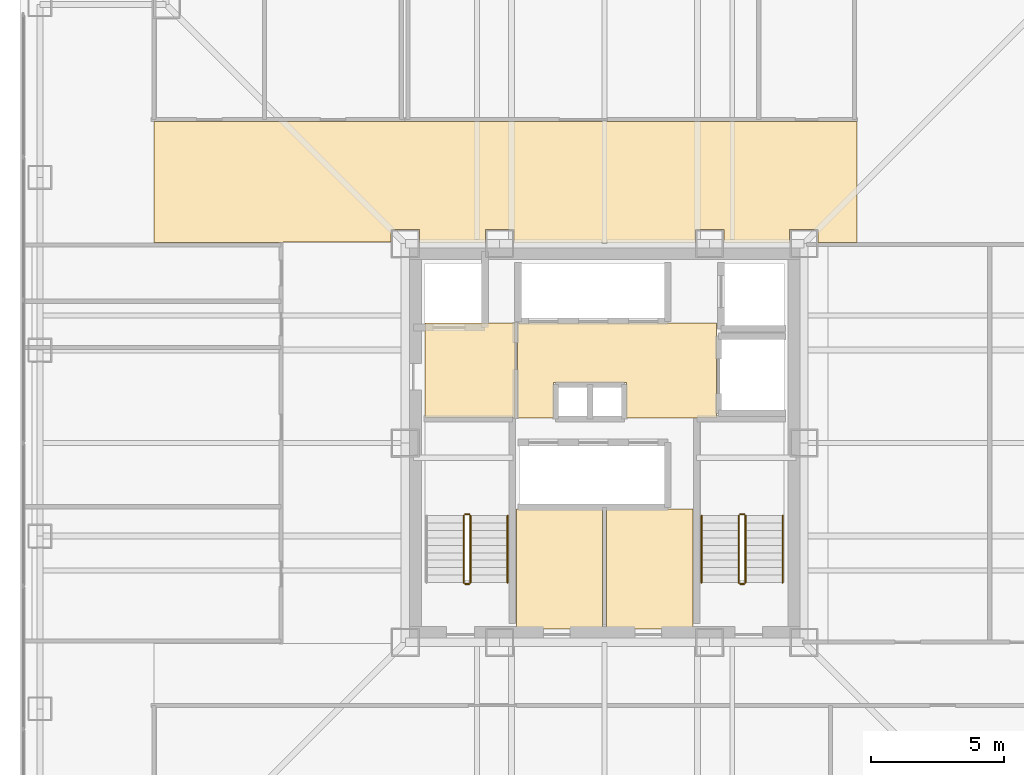
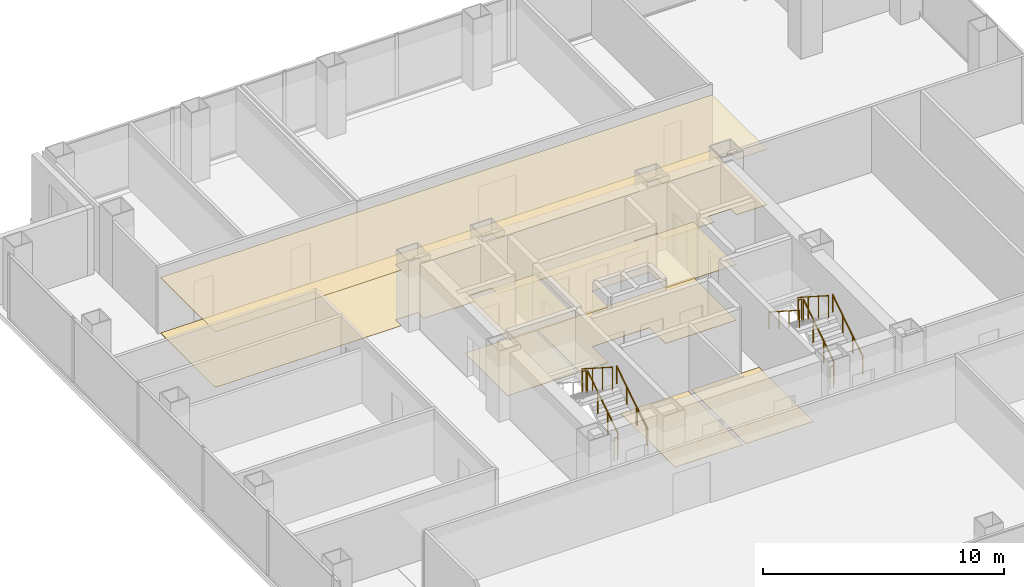
# One storey, part 13 of 14: 11 railings, 8 coverings.
"""IFC4 building model written with IfcOpenShell, lengths in metres."""

from ifc_helpers import new_model, si_unit, direction, frame, origin, origin_2d, place, context, subcontext, project, spatial, polyline, circle, outline, extrude, material, layer, layer_set, type_object, element, save


model = new_model("IFC4")

# Units and contexts
model_context = context("Model", 3, precision=1e-05, world=origin(), true_north=direction((0.0, 1.0)))
body_context = subcontext(model_context, "Body", "Model", "MODEL_VIEW")
ifc_project = project(units=[si_unit("LENGTHUNIT", "METRE"), si_unit("AREAUNIT", "SQUARE_METRE"), si_unit("VOLUMEUNIT", "CUBIC_METRE"), si_unit("PLANEANGLEUNIT", "RADIAN"), si_unit("MASSUNIT", "GRAM", prefix="KILO")], contexts=[model_context])

# Site, building, storey
site_placement = place(None, origin())
site = spatial("IfcSite", under=ifc_project, at=site_placement, CompositionType="ELEMENT")
building_placement = place(site_placement, origin())
building = spatial("IfcBuilding", under=site, at=building_placement, Name="Trevonay Congress Spire", CompositionType="ELEMENT")
storey_placement = place(building_placement, frame((0.0, 0.0, 140.800048828125)))
storey = spatial("IfcBuildingStorey", under=building, at=storey_placement, Name="L36", CompositionType="ELEMENT", Elevation=140.800048828125)

# Coverings
ifc_material_1 = material(Name="Acoustic Mineral Fibre Board", Category="gypsum")
ifc_layer_1 = layer(ifc_material_1, 0.02490234375, Name="Acoustic Mineral Fibre Board")
ifc_layer_set_1 = layer_set([ifc_layer_1], Name="Acoustic Mineral Fibre Board")
covering_type_1 = type_object("IfcCoveringType", Name="COV-CEIL-ACOUSTIC", PredefinedType="CEILING", material=ifc_layer_set_1)
covering_1_placement = place(storey_placement, frame((0.0, 0.0, 2.81005859375)))
element("IfcCovering", 1, at=covering_1_placement, inside=storey, type_object=covering_type_1, Name="L36 Firefighting Lift Lobby West acoustic suspended ceiling", PredefinedType="CEILING", context=body_context, shape_type="SweptSolid", body=[
    extrude(outline(polyline([(-6.75, 0.9599609375), (-3.3798828125, 0.9599609375), (-3.3798828125, 4.52001953125), (-6.75, 4.52001953125), (-6.75, 0.9599609375)])), origin(), (0.0, 0.0, 1.0), 0.02490234375),
])
covering_2_placement = place(storey_placement, frame((0.0, 0.0, 2.81005859375)))
element("IfcCovering", 2, at=covering_2_placement, inside=storey, type_object=covering_type_1, Name="L36 Central and High-Rise Passenger Lift Lobby acoustic suspended ceiling", PredefinedType="CEILING", context=body_context, shape_type="SweptSolid", body=[
    extrude(outline(polyline([(-3.280029296875, 0.949951171875), (-1.919921875, 0.949951171875), (-1.919921875, 2.280029296875), (0.820068359375, 2.280029296875), (0.820068359375, 0.949951171875), (4.219970703125, 0.949951171875), (4.219970703125, 4.52001953125), (-3.280029296875, 4.52001953125), (-3.280029296875, 0.949951171875)])), origin(), (0.0, 0.0, 1.0), 0.02490234375),
])
covering_3_placement = place(storey_placement, frame((0.0, 0.0, 2.81005859375)))
element("IfcCovering", 3, at=covering_3_placement, inside=storey, type_object=covering_type_1, Name="L36 North Sky Promenade Salon acoustic suspended ceiling", PredefinedType="CEILING", context=body_context, shape_type="SweptSolid", body=[
    extrude(outline(polyline([(-16.949951171875, 12.10009765625), (9.5, 12.10009765625), (9.5, 7.550048828125), (8.034912109375, 7.550048828125), (8.034912109375, 8.034912109375), (6.965087890625, 8.034912109375), (6.965087890625, 7.550048828125), (4.485107421875, 7.550048828125), (4.485107421875, 8.034912109375), (3.4150390625, 8.034912109375), (3.4150390625, 7.550048828125), (-3.4150390625, 7.550048828125), (-3.4150390625, 8.034912109375), (-4.485107421875, 8.034912109375), (-4.485107421875, 7.550048828125), (-6.965087890625, 7.550048828125), (-6.965087890625, 8.034912109375), (-8.034912109375, 8.034912109375), (-8.034912109375, 7.56005859375), (-12.110107421875, 7.56005859375), (-12.110107421875, 7.550048828125), (-16.949951171875, 7.550048828125), (-16.949951171875, 12.10009765625)])), origin(), (0.0, 0.0, 1.0), 0.02490234375),
])
ifc_material_2 = material(Name="Polished Granite Floor Tile", Category="masonry")
ifc_layer_2 = layer(ifc_material_2, 0.02001953125, Name="Polished Granite Floor Tile")
ifc_layer_set_2 = layer_set([ifc_layer_2], Name="Polished Granite Floor Tile")
covering_type_2 = type_object("IfcCoveringType", Name="COV-FLOOR-STONE", PredefinedType="FLOORING", material=ifc_layer_set_2)
covering_4_placement = place(storey_placement, origin())
element("IfcCovering", 4, at=covering_4_placement, inside=storey, type_object=covering_type_2, Name="L36 Firefighting Lift Lobby West floor finish", PredefinedType="FLOORING", context=body_context, shape_type="SweptSolid", body=[
    extrude(outline(polyline([(-6.75, 0.9599609375), (-3.3798828125, 0.9599609375), (-3.3798828125, 4.52001953125), (-6.75, 4.52001953125), (-6.75, 0.9599609375)])), origin(), (0.0, 0.0, 1.0), 0.02001953125),
])
covering_5_placement = place(storey_placement, origin())
element("IfcCovering", 5, at=covering_5_placement, inside=storey, type_object=covering_type_2, Name="L36 Central and High-Rise Passenger Lift Lobby floor finish", PredefinedType="FLOORING", context=body_context, shape_type="SweptSolid", body=[
    extrude(outline(polyline([(-3.280029296875, 0.949951171875), (-1.919921875, 0.949951171875), (-1.919921875, 2.280029296875), (0.820068359375, 2.280029296875), (0.820068359375, 0.949951171875), (4.219970703125, 0.949951171875), (4.219970703125, 4.52001953125), (-3.280029296875, 4.52001953125), (-3.280029296875, 0.949951171875)])), origin(), (0.0, 0.0, 1.0), 0.02001953125),
])
covering_6_placement = place(storey_placement, origin())
element("IfcCovering", 6, at=covering_6_placement, inside=storey, type_object=covering_type_2, Name="L36 Core Server and IT Hub floor finish", PredefinedType="FLOORING", context=body_context, shape_type="SweptSolid", body=[
    extrude(outline(polyline([(-3.320068359375, -7.0), (-0.080078125, -7.0), (-0.080078125, -2.47998046875), (-3.320068359375, -2.47998046875), (-3.320068359375, -7.0)])), origin(), (0.0, 0.0, 1.0), 0.02001953125),
])
covering_7_placement = place(storey_placement, origin())
element("IfcCovering", 7, at=covering_7_placement, inside=storey, type_object=covering_type_2, Name="L36 Core Document Archive Room floor finish", PredefinedType="FLOORING", context=body_context, shape_type="SweptSolid", body=[
    extrude(outline(polyline([(0.080078125, -7.0), (3.320068359375, -7.0), (3.320068359375, -2.47998046875), (0.080078125, -2.47998046875), (0.080078125, -7.0)])), origin(), (0.0, 0.0, 1.0), 0.02001953125),
])
ifc_material_3 = material(Name="Engineered Oak Flooring", Category="wood")
ifc_layer_3 = layer(ifc_material_3, 0.01806640625, Name="Engineered Oak Flooring")
ifc_layer_set_3 = layer_set([ifc_layer_3], Name="Engineered Oak Flooring")
covering_type_3 = type_object("IfcCoveringType", Name="COV-FLOOR-TIMBER", PredefinedType="FLOORING", material=ifc_layer_set_3)
covering_8_placement = place(storey_placement, origin())
element("IfcCovering", 8, at=covering_8_placement, inside=storey, type_object=covering_type_3, Name="L36 North Sky Promenade Salon floor finish", PredefinedType="FLOORING", context=body_context, shape_type="SweptSolid", body=[
    extrude(outline(polyline([(-16.949951171875, 12.10009765625), (9.5, 12.10009765625), (9.5, 7.550048828125), (8.034912109375, 7.550048828125), (8.034912109375, 8.034912109375), (6.965087890625, 8.034912109375), (6.965087890625, 7.550048828125), (4.485107421875, 7.550048828125), (4.485107421875, 8.034912109375), (3.4150390625, 8.034912109375), (3.4150390625, 7.550048828125), (-3.4150390625, 7.550048828125), (-3.4150390625, 8.034912109375), (-4.485107421875, 8.034912109375), (-4.485107421875, 7.550048828125), (-6.965087890625, 7.550048828125), (-6.965087890625, 8.034912109375), (-8.034912109375, 8.034912109375), (-8.034912109375, 7.56005859375), (-12.110107421875, 7.56005859375), (-12.110107421875, 7.550048828125), (-16.949951171875, 7.550048828125), (-16.949951171875, 12.10009765625)])), origin(), (0.0, 0.0, 1.0), 0.01806640625),
])

# Railings
ifc_material_4 = material(Name="Pale Anodised Aluminium EN AW-6063-T6", Category="aluminium")
railing_type_1 = type_object("IfcRailingType", Name="RAL-STAIR-GUARD-110", PredefinedType="GUARDRAIL", material=ifc_material_4)
railing_1_placement = place(storey_placement, frame((-5.050048828125, -5.25, 0.179931640625)))
element("IfcRailing", 9, at=railing_1_placement, inside=storey, type_object=railing_type_1, Name="L36 ST-1 stair guard 1", PredefinedType="GUARDRAIL", context=body_context, shape_type="SweptSolid", body=[
    extrude(circle(Radius=0.02392578125, at=origin_2d()), frame((0.0, 0.0, 1.1259765625), z_axis=(0.0, 0.841162588446, 0.540782303519), x_axis=(-1.0, 0.0, 0.0)), (0.0, 0.0, 1.0), 2.995849609375),
    extrude(circle(Radius=0.02099609375, at=origin_2d()), origin(), (0.0, 0.0, 1.0), 1.101806640625),
    extrude(circle(Radius=0.02099609375, at=origin_2d()), frame((0.0, 0.840087890625, 0.5400390625)), (0.0, 0.0, 1.0), 1.101806640625),
    extrude(circle(Radius=0.02099609375, at=origin_2d()), frame((0.0, 1.679931640625, 1.080078125)), (0.0, 0.0, 1.0), 1.101806640625),
    extrude(circle(Radius=0.02099609375, at=origin_2d()), frame((0.0, 2.52001953125, 1.6201171875)), (0.0, 0.0, 1.0), 1.101806640625),
])
railing_2_placement = place(storey_placement, frame((-5.10009765625, -2.679931640625, 1.800048828125)))
element("IfcRailing", 10, at=railing_2_placement, inside=storey, type_object=railing_type_1, Name="L36 ST-1 stair guard 2", PredefinedType="GUARDRAIL", context=body_context, shape_type="SweptSolid", body=[
    extrude(circle(Radius=0.02392578125, at=origin_2d()), frame((0.0, 0.0, 1.1259765625), z_axis=(-1.0, 0.0, 0.0), x_axis=(0.0, -1.0, 0.0)), (0.0, 0.0, 1.0), 0.14990234375),
    extrude(circle(Radius=0.02099609375, at=origin_2d()), origin(), (0.0, 0.0, 1.0), 1.101806640625),
    extrude(circle(Radius=0.02099609375, at=origin_2d()), frame((-0.14990234375, 0.0, 0.0)), (0.0, 0.0, 1.0), 1.101806640625),
])
railing_3_placement = place(storey_placement, frame((-5.300048828125, -2.72998046875, 1.97998046875)))
element("IfcRailing", 11, at=railing_3_placement, inside=storey, type_object=railing_type_1, Name="L36 ST-1 stair guard 3", PredefinedType="GUARDRAIL", context=body_context, shape_type="SweptSolid", body=[
    extrude(circle(Radius=0.02392578125, at=origin_2d()), frame((0.0, 0.0, 1.1259765625), z_axis=(0.0, -0.841199657755, 0.540724639528), x_axis=(1.0, 0.0, 0.0)), (0.0, 0.0, 1.0), 2.995849609375),
    extrude(circle(Radius=0.02099609375, at=origin_2d()), origin(), (0.0, 0.0, 1.0), 1.101806640625),
    extrude(circle(Radius=0.02099609375, at=origin_2d()), frame((0.0, -0.840087890625, 0.5400390625)), (0.0, 0.0, 1.0), 1.101806640625),
    extrude(circle(Radius=0.02099609375, at=origin_2d()), frame((0.0, -1.679931640625, 1.079833984375)), (0.0, 0.0, 1.0), 1.101806640625),
    extrude(circle(Radius=0.02099609375, at=origin_2d()), frame((0.0, -2.52001953125, 1.619873046875)), (0.0, 0.0, 1.0), 1.101806640625),
])
railing_4_placement = place(storey_placement, frame((-5.10009765625, -5.300048828125, 0.0)))
element("IfcRailing", 12, at=railing_4_placement, inside=storey, type_object=railing_type_1, Name="L36 ST-1 stair guard 4", PredefinedType="GUARDRAIL", context=body_context, shape_type="SweptSolid", body=[
    extrude(circle(Radius=0.02392578125, at=origin_2d()), frame((0.0, 0.0, 1.1259765625), z_axis=(-1.0, 0.0, 0.0), x_axis=(0.0, -1.0, 0.0)), (0.0, 0.0, 1.0), 0.14990234375),
    extrude(circle(Radius=0.02099609375, at=origin_2d()), origin(), (0.0, 0.0, 1.0), 1.101806640625),
    extrude(circle(Radius=0.02099609375, at=origin_2d()), frame((-0.14990234375, 0.0, 0.0)), (0.0, 0.0, 1.0), 1.101806640625),
])
railing_5_placement = place(storey_placement, frame((5.300048828125, -5.25, 0.179931640625)))
element("IfcRailing", 13, at=railing_5_placement, inside=storey, type_object=railing_type_1, Name="L36 ST-2 stair guard 1", PredefinedType="GUARDRAIL", context=body_context, shape_type="SweptSolid", body=[
    extrude(circle(Radius=0.02392578125, at=origin_2d()), frame((0.0, 0.0, 1.1259765625), z_axis=(0.0, 0.841162588446, 0.540782303519), x_axis=(-1.0, 0.0, 0.0)), (0.0, 0.0, 1.0), 2.995849609375),
    extrude(circle(Radius=0.02099609375, at=origin_2d()), origin(), (0.0, 0.0, 1.0), 1.101806640625),
    extrude(circle(Radius=0.02099609375, at=origin_2d()), frame((0.0, 0.840087890625, 0.5400390625)), (0.0, 0.0, 1.0), 1.101806640625),
    extrude(circle(Radius=0.02099609375, at=origin_2d()), frame((0.0, 1.679931640625, 1.080078125)), (0.0, 0.0, 1.0), 1.101806640625),
    extrude(circle(Radius=0.02099609375, at=origin_2d()), frame((0.0, 2.52001953125, 1.6201171875)), (0.0, 0.0, 1.0), 1.101806640625),
])
railing_6_placement = place(storey_placement, frame((5.25, -2.679931640625, 1.800048828125)))
element("IfcRailing", 14, at=railing_6_placement, inside=storey, type_object=railing_type_1, Name="L36 ST-2 stair guard 2", PredefinedType="GUARDRAIL", context=body_context, shape_type="SweptSolid", body=[
    extrude(circle(Radius=0.02392578125, at=origin_2d()), frame((0.0, 0.0, 1.1259765625), z_axis=(-1.0, 0.0, 0.0), x_axis=(0.0, -1.0, 0.0)), (0.0, 0.0, 1.0), 0.14990234375),
    extrude(circle(Radius=0.02099609375, at=origin_2d()), origin(), (0.0, 0.0, 1.0), 1.101806640625),
    extrude(circle(Radius=0.02099609375, at=origin_2d()), frame((-0.14990234375, 0.0, 0.0)), (0.0, 0.0, 1.0), 1.101806640625),
])
railing_7_placement = place(storey_placement, frame((5.050048828125, -2.72998046875, 1.97998046875)))
element("IfcRailing", 15, at=railing_7_placement, inside=storey, type_object=railing_type_1, Name="L36 ST-2 stair guard 3", PredefinedType="GUARDRAIL", context=body_context, shape_type="SweptSolid", body=[
    extrude(circle(Radius=0.02392578125, at=origin_2d()), frame((0.0, 0.0, 1.1259765625), z_axis=(0.0, -0.841199657755, 0.540724639528), x_axis=(1.0, 0.0, 0.0)), (0.0, 0.0, 1.0), 2.995849609375),
    extrude(circle(Radius=0.02099609375, at=origin_2d()), origin(), (0.0, 0.0, 1.0), 1.101806640625),
    extrude(circle(Radius=0.02099609375, at=origin_2d()), frame((0.0, -0.840087890625, 0.5400390625)), (0.0, 0.0, 1.0), 1.101806640625),
    extrude(circle(Radius=0.02099609375, at=origin_2d()), frame((0.0, -1.679931640625, 1.079833984375)), (0.0, 0.0, 1.0), 1.101806640625),
    extrude(circle(Radius=0.02099609375, at=origin_2d()), frame((0.0, -2.52001953125, 1.619873046875)), (0.0, 0.0, 1.0), 1.101806640625),
])
railing_8_placement = place(storey_placement, frame((5.25, -5.300048828125, 0.0)))
element("IfcRailing", 16, at=railing_8_placement, inside=storey, type_object=railing_type_1, Name="L36 ST-2 stair guard 4", PredefinedType="GUARDRAIL", context=body_context, shape_type="SweptSolid", body=[
    extrude(circle(Radius=0.02392578125, at=origin_2d()), frame((0.0, 0.0, 1.1259765625), z_axis=(-1.0, 0.0, 0.0), x_axis=(0.0, -1.0, 0.0)), (0.0, 0.0, 1.0), 0.14990234375),
    extrude(circle(Radius=0.02099609375, at=origin_2d()), origin(), (0.0, 0.0, 1.0), 1.101806640625),
    extrude(circle(Radius=0.02099609375, at=origin_2d()), frame((-0.14990234375, 0.0, 0.0)), (0.0, 0.0, 1.0), 1.101806640625),
])
railing_type_2 = type_object("IfcRailingType", Name="RAL-STAIR-HANDRAIL", PredefinedType="HANDRAIL", material=ifc_material_4)
for number, where, name in (
    (17, (-3.64990234375, -5.25, 0.179931640625), "L36 ST-1 stair handrail 1"),
    (18, (6.699951171875, -5.25, 0.179931640625), "L36 ST-2 stair handrail 1"),
):
    element("IfcRailing", number, at=place(storey_placement, frame(where)), inside=storey, type_object=railing_type_2, Name=name, PredefinedType="HANDRAIL", context=body_context, shape_type="SweptSolid", body=[
        extrude(circle(Radius=0.02392578125, at=origin_2d()), frame((0.0, 0.0, 0.8759765625), z_axis=(0.0, 0.841162588446, 0.540782303519), x_axis=(-1.0, 0.0, 0.0)), (0.0, 0.0, 1.0), 2.995849609375),
        extrude(circle(Radius=0.02099609375, at=origin_2d()), origin(), (0.0, 0.0, 1.0), 0.851806640625),
        extrude(circle(Radius=0.02099609375, at=origin_2d()), frame((0.0, 0.840087890625, 0.5400390625)), (0.0, 0.0, 1.0), 0.851806640625),
        extrude(circle(Radius=0.02099609375, at=origin_2d()), frame((0.0, 1.679931640625, 1.080078125)), (0.0, 0.0, 1.0), 0.851806640625),
        extrude(circle(Radius=0.02099609375, at=origin_2d()), frame((0.0, 2.52001953125, 1.6201171875)), (0.0, 0.0, 1.0), 0.851806640625),
    ])
railing_9_placement = place(storey_placement, frame((3.64990234375, -2.72998046875, 1.97998046875)))
element("IfcRailing", 19, at=railing_9_placement, inside=storey, type_object=railing_type_2, Name="L36 ST-2 stair handrail 2", PredefinedType="HANDRAIL", context=body_context, shape_type="SweptSolid", body=[
    extrude(circle(Radius=0.02392578125, at=origin_2d()), frame((0.0, 0.0, 0.8759765625), z_axis=(0.0, -0.841199657755, 0.540724639528), x_axis=(1.0, 0.0, 0.0)), (0.0, 0.0, 1.0), 2.995849609375),
    extrude(circle(Radius=0.02099609375, at=origin_2d()), origin(), (0.0, 0.0, 1.0), 0.851806640625),
    extrude(circle(Radius=0.02099609375, at=origin_2d()), frame((0.0, -0.840087890625, 0.5400390625)), (0.0, 0.0, 1.0), 0.851806640625),
    extrude(circle(Radius=0.02099609375, at=origin_2d()), frame((0.0, -1.679931640625, 1.079833984375)), (0.0, 0.0, 1.0), 0.851806640625),
    extrude(circle(Radius=0.02099609375, at=origin_2d()), frame((0.0, -2.52001953125, 1.619873046875)), (0.0, 0.0, 1.0), 0.851806640625),
])

save(model, "model.ifc")
